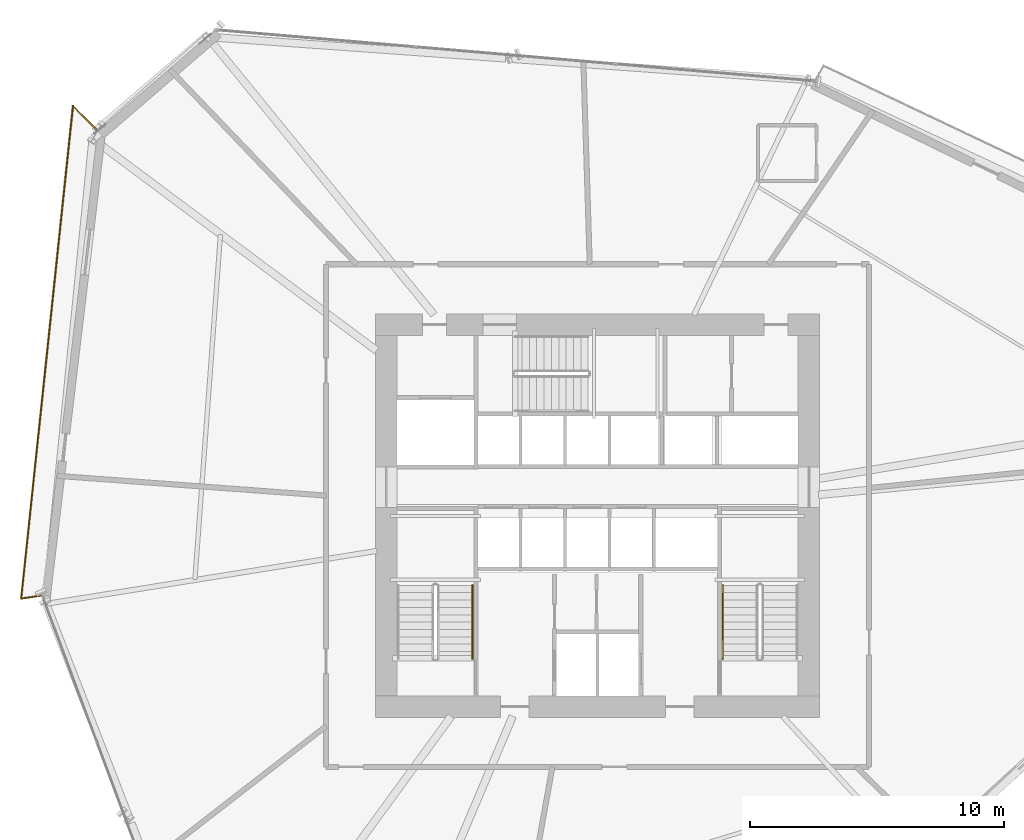
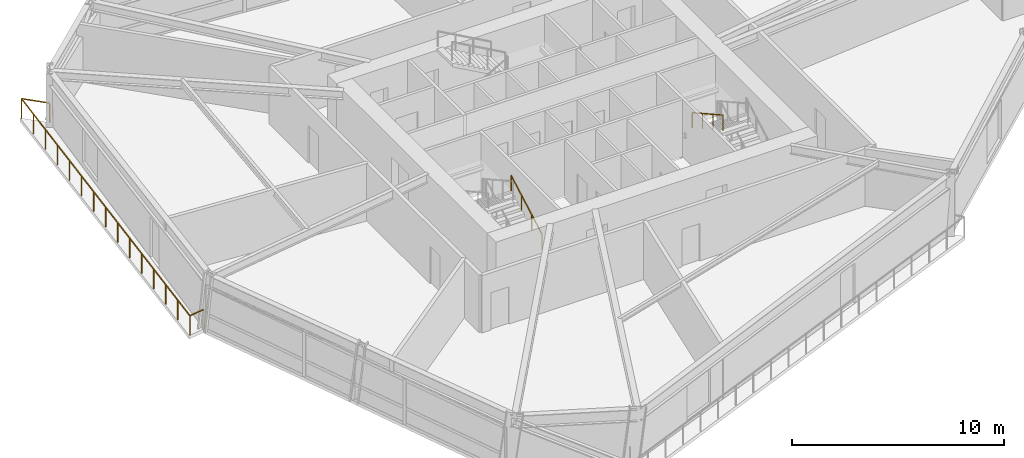
# One storey, part 19 of 21: 3 railings.
"""IFC4 building model written with IfcOpenShell, lengths in metres."""

from ifc_helpers import new_model, si_unit, direction, frame, origin, origin_2d, place, context, subcontext, project, spatial, rectangle, extrude, material, type_object, element, save


model = new_model("IFC4")

# Units and contexts
model_context = context("Model", 3, precision=1e-05, world=origin(), true_north=direction((0.0, 1.0)))
body_context = subcontext(model_context, "Body", "Model", "MODEL_VIEW")
ifc_project = project(units=[si_unit("LENGTHUNIT", "METRE"), si_unit("AREAUNIT", "SQUARE_METRE"), si_unit("VOLUMEUNIT", "CUBIC_METRE"), si_unit("PLANEANGLEUNIT", "RADIAN"), si_unit("MASSUNIT", "GRAM", prefix="KILO")], contexts=[model_context])

# Site, building, storey
site_placement = place(None, origin())
site = spatial("IfcSite", under=ifc_project, at=site_placement, CompositionType="ELEMENT")
building_placement = place(site_placement, origin())
building = spatial("IfcBuilding", under=site, at=building_placement, Name="Olszyna Solenne Hotel", CompositionType="ELEMENT")
storey_placement = place(building_placement, frame((0.0, 0.0, 68.35009765625)))
storey = spatial("IfcBuildingStorey", under=building, at=storey_placement, Name="L17", CompositionType="ELEMENT", Elevation=68.35009765625)

# Railings
ifc_material_1 = material(Name="Anodised bronze aluminium", Category="aluminium")
railing_type_1 = type_object("IfcRailingType", Name="GR-110", PredefinedType="BALUSTRADE", material=ifc_material_1)
railing_1_placement = place(storey_placement, frame((18.300537109375, 41.755615234375, 0.0)))
element("IfcRailing", 1, at=railing_1_placement, inside=storey, type_object=railing_type_1, Name="Loggia balcony balustrade guard GR-L17-LG2", PredefinedType="BALUSTRADE", context=body_context, shape_type="SweptSolid", body=[
    extrude(rectangle(XDim=0.048095703125, YDim=0.048095703125, at=origin_2d()), frame((0.0, 0.0, 1.1259765625), z_axis=(-0.702934644447, 0.711254445073, 0.0), x_axis=(-0.711254445073, -0.702934644447, 0.0)), (0.0, 0.0, 1.0), 1.379150390625),
    extrude(rectangle(XDim=0.048095703125, YDim=0.048095703125, at=origin_2d()), frame((-0.969482421875, 0.98095703125, 1.1259765625), z_axis=(-0.104740778421, -0.994499557233, 0.0), x_axis=(0.994499557233, -0.104740778421, 0.0)), (0.0, 0.0, 1.0), 19.51904296875),
    extrude(rectangle(XDim=0.048095703125, YDim=0.048095703125, at=origin_2d()), frame((-3.013916015625, -18.4306640625, 1.1259765625), z_axis=(0.988980760433, 0.148044099826, 0.0), x_axis=(-0.148044099826, 0.988980760433, 0.0)), (0.0, 0.0, 1.0), 0.845947265625),
    extrude(rectangle(XDim=0.0419921875, YDim=0.0419921875, at=origin_2d()), origin(), (0.0, 0.0, 1.0), 1.101806640625),
    extrude(rectangle(XDim=0.0419921875, YDim=0.0419921875, at=origin_2d()), frame((-0.969482421875, 0.98095703125, 0.0)), (0.0, 0.0, 1.0), 1.101806640625),
    extrude(rectangle(XDim=0.0419921875, YDim=0.0419921875, at=origin_2d()), frame((-1.115478515625, -0.405517578125, 0.0)), (0.0, 0.0, 1.0), 1.101806640625),
    extrude(rectangle(XDim=0.0419921875, YDim=0.0419921875, at=origin_2d()), frame((-1.261474609375, -1.792236328125, 0.0)), (0.0, 0.0, 1.0), 1.101806640625),
    extrude(rectangle(XDim=0.0419921875, YDim=0.0419921875, at=origin_2d()), frame((-1.407470703125, -3.1787109375, 0.0)), (0.0, 0.0, 1.0), 1.101806640625),
    extrude(rectangle(XDim=0.0419921875, YDim=0.0419921875, at=origin_2d()), frame((-1.5537109375, -4.565185546875, 0.0)), (0.0, 0.0, 1.0), 1.101806640625),
    extrude(rectangle(XDim=0.0419921875, YDim=0.0419921875, at=origin_2d()), frame((-1.69970703125, -5.95166015625, 0.0)), (0.0, 0.0, 1.0), 1.101806640625),
    extrude(rectangle(XDim=0.0419921875, YDim=0.0419921875, at=origin_2d()), frame((-1.845703125, -7.33837890625, 0.0)), (0.0, 0.0, 1.0), 1.101806640625),
    extrude(rectangle(XDim=0.0419921875, YDim=0.0419921875, at=origin_2d()), frame((-1.99169921875, -8.724853515625, 0.0)), (0.0, 0.0, 1.0), 1.101806640625),
    extrude(rectangle(XDim=0.0419921875, YDim=0.0419921875, at=origin_2d()), frame((-2.1376953125, -10.111328125, 0.0)), (0.0, 0.0, 1.0), 1.101806640625),
    extrude(rectangle(XDim=0.0419921875, YDim=0.0419921875, at=origin_2d()), frame((-2.28369140625, -11.498046875, 0.0)), (0.0, 0.0, 1.0), 1.101806640625),
    extrude(rectangle(XDim=0.0419921875, YDim=0.0419921875, at=origin_2d()), frame((-2.4296875, -12.884521484375, 0.0)), (0.0, 0.0, 1.0), 1.101806640625),
    extrude(rectangle(XDim=0.0419921875, YDim=0.0419921875, at=origin_2d()), frame((-2.575927734375, -14.27099609375, 0.0)), (0.0, 0.0, 1.0), 1.101806640625),
    extrude(rectangle(XDim=0.0419921875, YDim=0.0419921875, at=origin_2d()), frame((-2.721923828125, -15.657470703125, 0.0)), (0.0, 0.0, 1.0), 1.101806640625),
    extrude(rectangle(XDim=0.0419921875, YDim=0.0419921875, at=origin_2d()), frame((-2.867919921875, -17.044189453125, 0.0)), (0.0, 0.0, 1.0), 1.101806640625),
    extrude(rectangle(XDim=0.0419921875, YDim=0.0419921875, at=origin_2d()), frame((-3.013916015625, -18.4306640625, 0.0)), (0.0, 0.0, 1.0), 1.101806640625),
    extrude(rectangle(XDim=0.0419921875, YDim=0.0419921875, at=origin_2d()), frame((-2.17724609375, -18.305419921875, 0.0)), (0.0, 0.0, 1.0), 1.101806640625),
])
ifc_material_2 = material(Name="Steel S355J2", Category="steel")
railing_type_2 = type_object("IfcRailingType", Name="HR-090", PredefinedType="HANDRAIL", material=ifc_material_2)
railing_2_placement = place(storey_placement, frame((33.070068359375, 20.949951171875, 0.161376953125)))
element("IfcRailing", 2, at=railing_2_placement, inside=storey, type_object=railing_type_2, Name="L17 ST1 stair handrail 1", PredefinedType="HANDRAIL", context=body_context, shape_type="SweptSolid", body=[
    extrude(rectangle(XDim=0.048095703125, YDim=0.048095703125, at=origin_2d()), frame((0.0, 0.0, 0.8759765625), z_axis=(0.0, 0.873858693841, 0.486179990537), x_axis=(-1.0, 0.0, 0.0)), (0.0, 0.0, 1.0), 3.31884765625),
    extrude(rectangle(XDim=0.0419921875, YDim=0.0419921875, at=origin_2d()), origin(), (0.0, 0.0, 1.0), 0.851806640625),
    extrude(rectangle(XDim=0.0419921875, YDim=0.0419921875, at=origin_2d()), frame((0.0, 0.966796875, 0.537841796875)), (0.0, 0.0, 1.0), 0.851806640625),
    extrude(rectangle(XDim=0.0419921875, YDim=0.0419921875, at=origin_2d()), frame((0.0, 1.933349609375, 1.07568359375)), (0.0, 0.0, 1.0), 0.851806640625),
    extrude(rectangle(XDim=0.0419921875, YDim=0.0419921875, at=origin_2d()), frame((0.0, 2.900146484375, 1.613525390625)), (0.0, 0.0, 1.0), 0.851806640625),
])
railing_3_placement = place(storey_placement, frame((42.929931640625, 23.85009765625, 1.936279296875)))
element("IfcRailing", 3, at=railing_3_placement, inside=storey, type_object=railing_type_2, Name="L17 ST2 stair handrail 2", PredefinedType="HANDRAIL", context=body_context, shape_type="SweptSolid", body=[
    extrude(rectangle(XDim=0.048095703125, YDim=0.048095703125, at=origin_2d()), frame((0.0, 0.0, 0.8759765625), z_axis=(0.0, -0.873858693841, 0.486179990537), x_axis=(1.0, 0.0, 0.0)), (0.0, 0.0, 1.0), 3.31884765625),
    extrude(rectangle(XDim=0.0419921875, YDim=0.0419921875, at=origin_2d()), origin(), (0.0, 0.0, 1.0), 0.851806640625),
    extrude(rectangle(XDim=0.0419921875, YDim=0.0419921875, at=origin_2d()), frame((0.0, -0.966796875, 0.537841796875)), (0.0, 0.0, 1.0), 0.851806640625),
    extrude(rectangle(XDim=0.0419921875, YDim=0.0419921875, at=origin_2d()), frame((0.0, -1.933349609375, 1.07568359375)), (0.0, 0.0, 1.0), 0.851806640625),
    extrude(rectangle(XDim=0.0419921875, YDim=0.0419921875, at=origin_2d()), frame((0.0, -2.900146484375, 1.613525390625)), (0.0, 0.0, 1.0), 0.851806640625),
])

save(model, "model.ifc")
